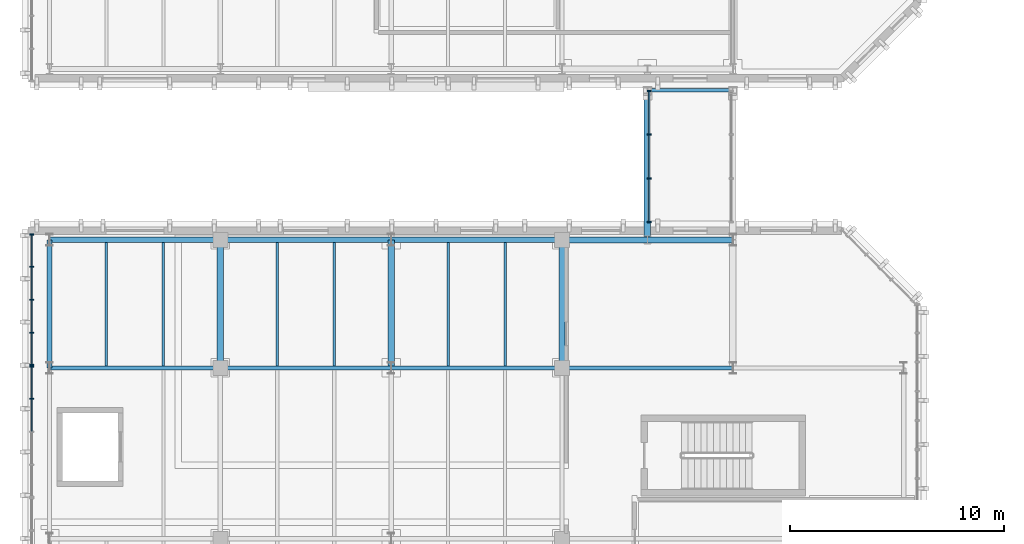
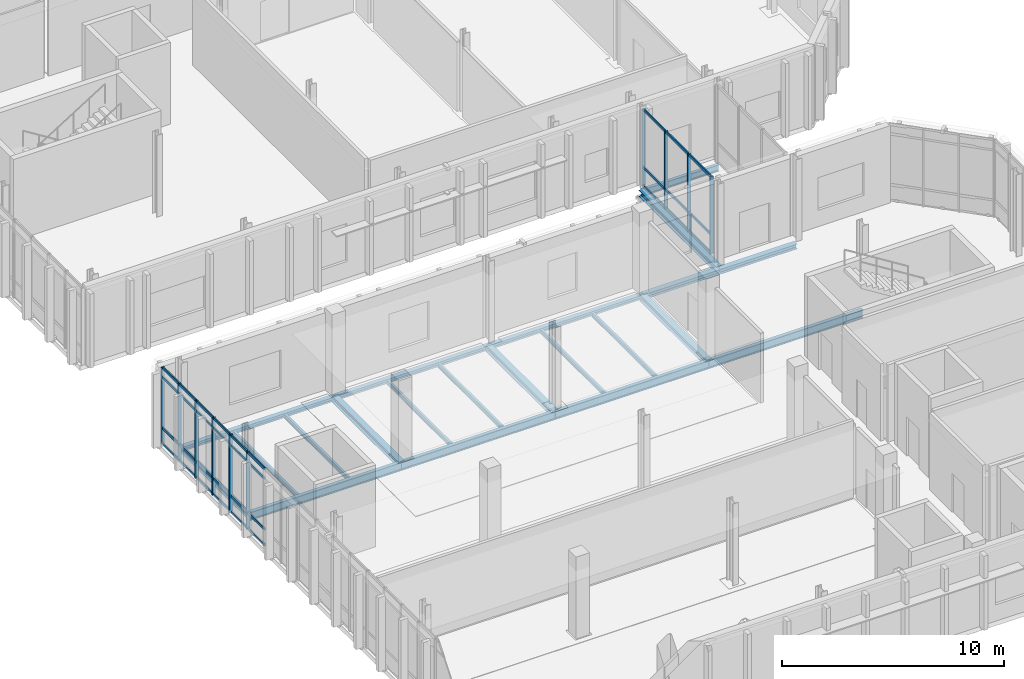
# One storey, part 34 of 100: 44 members, 21 beams, 3 elements without a shape of their own.
"""IFC4 building model written with IfcOpenShell, lengths in metres."""

from ifc_helpers import new_model, si_unit, direction, frame, origin, origin_2d, place, context, subcontext, project, spatial, rectangle, i_section, extrude, material, material_profile, profile_set, type_object, element, aggregate, save


model = new_model("IFC4")

# Units and contexts
model_context = context("Model", 3, precision=1e-05, world=origin(), true_north=direction((0.0, 1.0)))
body_context = subcontext(model_context, "Body", "Model", "MODEL_VIEW")
ifc_project = project(units=[si_unit("LENGTHUNIT", "METRE"), si_unit("AREAUNIT", "SQUARE_METRE"), si_unit("VOLUMEUNIT", "CUBIC_METRE"), si_unit("PLANEANGLEUNIT", "RADIAN"), si_unit("MASSUNIT", "GRAM", prefix="KILO")], contexts=[model_context])

# Site, building, storey
site_placement = place(None, origin())
site = spatial("IfcSite", under=ifc_project, at=site_placement, CompositionType="ELEMENT")
building_placement = place(site_placement, origin())
building = spatial("IfcBuilding", under=site, at=building_placement, Name="Cymarion Research Institute", CompositionType="ELEMENT")
storey_placement = place(building_placement, frame((0.0, 0.0, 4.800048828125)))
storey = spatial("IfcBuildingStorey", under=building, at=storey_placement, Name="L01", CompositionType="ELEMENT", Elevation=4.800048828125)

# Curtain wall, members
ifc_material_1 = material(Name="Anodised aluminium unitised curtain wall with Low-E glazing", Category="aluminium")
curtain_wall_type_1 = type_object("IfcCurtainWallType", Name="UNITISED CURTAIN WALL CW22 6180X4250", PredefinedType="NOTDEFINED", material=ifc_material_1)
curtain_wall_1_placement = place(storey_placement, origin())
curtain_wall_1 = element("IfcCurtainWall", 1, at=curtain_wall_1_placement, inside=storey, type_object=curtain_wall_type_1, Name="L01 V4 unitised curtain wall CW22 #44", PredefinedType="NOTDEFINED")
ifc_material_2 = material(Name="Anodised aluminium framing", Category="aluminium")
ifc_material_profile_1 = material_profile(ifc_material_2, rectangle(XDim=0.06005859375, YDim=0.179931640625, at=origin_2d()), Name="ALU MULLION 60x180")
ifc_profile_set_1 = profile_set([ifc_material_profile_1], Name="Anodised aluminium framing")
member_type_1 = type_object("IfcMemberType", Name="CURTAIN WALL MULLION ML01 60X180", PredefinedType="MULLION", material=ifc_profile_set_1)
member_1_placement = place(storey_placement, frame((5.77001953125, 77.748046875, 0.0), z_axis=(0.0, 0.0, 1.0), x_axis=(0.0, -1.0, 0.0)))
member_1 = element("IfcMember", 2, at=member_1_placement, type_object=member_type_1, Name="CW22 mullion 1", PredefinedType="MULLION", context=body_context, shape_type="SweptSolid", body=[
    extrude(rectangle(XDim=0.06005859375, YDim=0.179931640625, at=origin_2d()), origin(), (0.0, 0.0, 1.0), 4.25),
])
member_2_placement = place(storey_placement, frame((5.77001953125, 76.234130859375, 0.0), z_axis=(0.0, 0.0, 1.0), x_axis=(0.0, -1.0, 0.0)))
member_2 = element("IfcMember", 3, at=member_2_placement, type_object=member_type_1, Name="CW22 mullion 2", PredefinedType="MULLION", context=body_context, shape_type="SweptSolid", body=[
    extrude(rectangle(XDim=0.06005859375, YDim=0.179931640625, at=origin_2d()), origin(), (0.0, 0.0, 1.0), 4.25),
])
member_3_placement = place(storey_placement, frame((5.77001953125, 74.690185546875, 0.0), z_axis=(0.0, 0.0, 1.0), x_axis=(0.0, -1.0, 0.0)))
member_3 = element("IfcMember", 4, at=member_3_placement, type_object=member_type_1, Name="CW22 mullion 3", PredefinedType="MULLION", context=body_context, shape_type="SweptSolid", body=[
    extrude(rectangle(XDim=0.06005859375, YDim=0.179931640625, at=origin_2d()), origin(), (0.0, 0.0, 1.0), 4.25),
])
member_4_placement = place(storey_placement, frame((5.77001953125, 73.146240234375, 0.0), z_axis=(0.0, 0.0, 1.0), x_axis=(0.0, -1.0, 0.0)))
member_4 = element("IfcMember", 5, at=member_4_placement, type_object=member_type_1, Name="CW22 mullion 4", PredefinedType="MULLION", context=body_context, shape_type="SweptSolid", body=[
    extrude(rectangle(XDim=0.06005859375, YDim=0.179931640625, at=origin_2d()), origin(), (0.0, 0.0, 1.0), 4.25),
])
member_5_placement = place(storey_placement, frame((5.77001953125, 71.63232421875, 0.0), z_axis=(0.0, 0.0, 1.0), x_axis=(0.0, -1.0, 0.0)))
member_5 = element("IfcMember", 6, at=member_5_placement, type_object=member_type_1, Name="CW22 mullion 5", PredefinedType="MULLION", context=body_context, shape_type="SweptSolid", body=[
    extrude(rectangle(XDim=0.06005859375, YDim=0.179931640625, at=origin_2d()), origin(), (0.0, 0.0, 1.0), 4.25),
])

curtain_wall_2_placement = place(storey_placement, origin())
curtain_wall_2 = element("IfcCurtainWall", 7, at=curtain_wall_2_placement, inside=storey, type_object=curtain_wall_type_1, Name="L01 V4 unitised curtain wall CW22 #45", PredefinedType="NOTDEFINED")
member_6_placement = place(storey_placement, frame((5.77001953125, 71.572509765625, 0.0), z_axis=(0.0, 0.0, 1.0), x_axis=(0.0, -1.0, 0.0)))
member_6 = element("IfcMember", 8, at=member_6_placement, type_object=member_type_1, Name="CW22 mullion 1", PredefinedType="MULLION", context=body_context, shape_type="SweptSolid", body=[
    extrude(rectangle(XDim=0.06005859375, YDim=0.179931640625, at=origin_2d()), origin(), (0.0, 0.0, 1.0), 4.25),
])
member_7_placement = place(storey_placement, frame((5.77001953125, 70.05859375, 0.0), z_axis=(0.0, 0.0, 1.0), x_axis=(0.0, -1.0, 0.0)))
member_7 = element("IfcMember", 9, at=member_7_placement, type_object=member_type_1, Name="CW22 mullion 2", PredefinedType="MULLION", context=body_context, shape_type="SweptSolid", body=[
    extrude(rectangle(XDim=0.06005859375, YDim=0.179931640625, at=origin_2d()), origin(), (0.0, 0.0, 1.0), 4.25),
])

curtain_wall_type_2 = type_object("IfcCurtainWallType", Name="UNITISED CURTAIN WALL CW25 6200X4260", PredefinedType="NOTDEFINED", material=ifc_material_1)
curtain_wall_3_placement = place(storey_placement, origin())
curtain_wall_3 = element("IfcCurtainWall", 10, at=curtain_wall_3_placement, inside=storey, type_object=curtain_wall_type_2, Name="L01 SP2 sky-passage glazed wall 1", PredefinedType="NOTDEFINED")
member_8_placement = place(storey_placement, frame((34.679931640625, 78.330078125, 0.0), z_axis=(0.0, 0.0, 1.0), x_axis=(0.0, 1.0, 0.0)))
member_8 = element("IfcMember", 11, at=member_8_placement, type_object=member_type_1, Name="CW25 mullion 1", PredefinedType="MULLION", context=body_context, shape_type="SweptSolid", body=[
    extrude(rectangle(XDim=0.06005859375, YDim=0.179931640625, at=origin_2d()), origin(), (0.0, 0.0, 1.0), 4.260009765625),
])
member_9_placement = place(storey_placement, frame((34.679931640625, 80.36669921875, 0.0), z_axis=(0.0, 0.0, 1.0), x_axis=(0.0, 1.0, 0.0)))
member_9 = element("IfcMember", 12, at=member_9_placement, type_object=member_type_1, Name="CW25 mullion 2", PredefinedType="MULLION", context=body_context, shape_type="SweptSolid", body=[
    extrude(rectangle(XDim=0.06005859375, YDim=0.179931640625, at=origin_2d()), origin(), (0.0, 0.0, 1.0), 4.260009765625),
])
member_10_placement = place(storey_placement, frame((34.679931640625, 82.433349609375, 0.0), z_axis=(0.0, 0.0, 1.0), x_axis=(0.0, 1.0, 0.0)))
member_10 = element("IfcMember", 13, at=member_10_placement, type_object=member_type_1, Name="CW25 mullion 3", PredefinedType="MULLION", context=body_context, shape_type="SweptSolid", body=[
    extrude(rectangle(XDim=0.06005859375, YDim=0.179931640625, at=origin_2d()), origin(), (0.0, 0.0, 1.0), 4.260009765625),
])
member_11_placement = place(storey_placement, frame((34.679931640625, 84.469970703125, 0.0), z_axis=(0.0, 0.0, 1.0), x_axis=(0.0, 1.0, 0.0)))
member_11 = element("IfcMember", 14, at=member_11_placement, type_object=member_type_1, Name="CW25 mullion 4", PredefinedType="MULLION", context=body_context, shape_type="SweptSolid", body=[
    extrude(rectangle(XDim=0.06005859375, YDim=0.179931640625, at=origin_2d()), origin(), (0.0, 0.0, 1.0), 4.260009765625),
])

# Member
ifc_material_profile_2 = material_profile(ifc_material_2, rectangle(XDim=0.06005859375, YDim=0.14990234375, at=origin_2d()), Name="ALU TRANSOM 60x150")
ifc_profile_set_2 = profile_set([ifc_material_profile_2], Name="Anodised aluminium framing")
member_type_2 = type_object("IfcMemberType", Name="CURTAIN WALL TRANSOM TR01 60X150", PredefinedType="USERDEFINED", material=ifc_profile_set_2)
member_12_placement = place(storey_placement, frame((5.77001953125, 77.718017578125, 0.030029296875), z_axis=(0.0, -1.0, 0.0), x_axis=(1.0, 0.0, 0.0)))
member_12 = element("IfcMember", 15, at=member_12_placement, type_object=member_type_2, Name="CW22 transom 1.1", ObjectType="TRANSOM", PredefinedType="USERDEFINED", context=body_context, shape_type="SweptSolid", body=[
    extrude(rectangle(XDim=0.06005859375, YDim=0.14990234375, at=origin_2d()), origin(), (0.0, 0.0, 1.0), 1.453857421875),
])

member_13_placement = place(storey_placement, frame((5.77001953125, 77.718017578125, 0.89990234375), z_axis=(0.0, -1.0, 0.0), x_axis=(1.0, 0.0, 0.0)))
member_13 = element("IfcMember", 16, at=member_13_placement, type_object=member_type_2, Name="CW22 transom 1.2", ObjectType="TRANSOM", PredefinedType="USERDEFINED", context=body_context, shape_type="SweptSolid", body=[
    extrude(rectangle(XDim=0.06005859375, YDim=0.14990234375, at=origin_2d()), origin(), (0.0, 0.0, 1.0), 1.453857421875),
])

member_14_placement = place(storey_placement, frame((5.77001953125, 77.718017578125, 3.699951171875), z_axis=(0.0, -1.0, 0.0), x_axis=(1.0, 0.0, 0.0)))
member_14 = element("IfcMember", 17, at=member_14_placement, type_object=member_type_2, Name="CW22 transom 1.3", ObjectType="TRANSOM", PredefinedType="USERDEFINED", context=body_context, shape_type="SweptSolid", body=[
    extrude(rectangle(XDim=0.06005859375, YDim=0.14990234375, at=origin_2d()), origin(), (0.0, 0.0, 1.0), 1.453857421875),
])

member_15_placement = place(storey_placement, frame((5.77001953125, 77.718017578125, 4.219970703125), z_axis=(0.0, -1.0, 0.0), x_axis=(1.0, 0.0, 0.0)))
member_15 = element("IfcMember", 18, at=member_15_placement, type_object=member_type_2, Name="CW22 transom 1.4", ObjectType="TRANSOM", PredefinedType="USERDEFINED", context=body_context, shape_type="SweptSolid", body=[
    extrude(rectangle(XDim=0.06005859375, YDim=0.14990234375, at=origin_2d()), origin(), (0.0, 0.0, 1.0), 1.453857421875),
])

member_16_placement = place(storey_placement, frame((5.77001953125, 76.2041015625, 0.030029296875), z_axis=(0.0, -1.0, 0.0), x_axis=(1.0, 0.0, 0.0)))
member_16 = element("IfcMember", 19, at=member_16_placement, type_object=member_type_2, Name="CW22 transom 2.1", ObjectType="TRANSOM", PredefinedType="USERDEFINED", context=body_context, shape_type="SweptSolid", body=[
    extrude(rectangle(XDim=0.06005859375, YDim=0.14990234375, at=origin_2d()), origin(), (0.0, 0.0, 1.0), 1.48388671875),
])

member_17_placement = place(storey_placement, frame((5.77001953125, 76.2041015625, 0.89990234375), z_axis=(0.0, -1.0, 0.0), x_axis=(1.0, 0.0, 0.0)))
member_17 = element("IfcMember", 20, at=member_17_placement, type_object=member_type_2, Name="CW22 transom 2.2", ObjectType="TRANSOM", PredefinedType="USERDEFINED", context=body_context, shape_type="SweptSolid", body=[
    extrude(rectangle(XDim=0.06005859375, YDim=0.14990234375, at=origin_2d()), origin(), (0.0, 0.0, 1.0), 1.48388671875),
])

member_18_placement = place(storey_placement, frame((5.77001953125, 76.2041015625, 3.699951171875), z_axis=(0.0, -1.0, 0.0), x_axis=(1.0, 0.0, 0.0)))
member_18 = element("IfcMember", 21, at=member_18_placement, type_object=member_type_2, Name="CW22 transom 2.3", ObjectType="TRANSOM", PredefinedType="USERDEFINED", context=body_context, shape_type="SweptSolid", body=[
    extrude(rectangle(XDim=0.06005859375, YDim=0.14990234375, at=origin_2d()), origin(), (0.0, 0.0, 1.0), 1.48388671875),
])

member_19_placement = place(storey_placement, frame((5.77001953125, 76.2041015625, 4.219970703125), z_axis=(0.0, -1.0, 0.0), x_axis=(1.0, 0.0, 0.0)))
member_19 = element("IfcMember", 22, at=member_19_placement, type_object=member_type_2, Name="CW22 transom 2.4", ObjectType="TRANSOM", PredefinedType="USERDEFINED", context=body_context, shape_type="SweptSolid", body=[
    extrude(rectangle(XDim=0.06005859375, YDim=0.14990234375, at=origin_2d()), origin(), (0.0, 0.0, 1.0), 1.48388671875),
])

member_20_placement = place(storey_placement, frame((5.77001953125, 74.66015625, 0.030029296875), z_axis=(0.0, -1.0, 0.0), x_axis=(1.0, 0.0, 0.0)))
member_20 = element("IfcMember", 23, at=member_20_placement, type_object=member_type_2, Name="CW22 transom 3.1", ObjectType="TRANSOM", PredefinedType="USERDEFINED", context=body_context, shape_type="SweptSolid", body=[
    extrude(rectangle(XDim=0.06005859375, YDim=0.14990234375, at=origin_2d()), origin(), (0.0, 0.0, 1.0), 1.48388671875),
])

member_21_placement = place(storey_placement, frame((5.77001953125, 74.66015625, 0.89990234375), z_axis=(0.0, -1.0, 0.0), x_axis=(1.0, 0.0, 0.0)))
member_21 = element("IfcMember", 24, at=member_21_placement, type_object=member_type_2, Name="CW22 transom 3.2", ObjectType="TRANSOM", PredefinedType="USERDEFINED", context=body_context, shape_type="SweptSolid", body=[
    extrude(rectangle(XDim=0.06005859375, YDim=0.14990234375, at=origin_2d()), origin(), (0.0, 0.0, 1.0), 1.48388671875),
])

member_22_placement = place(storey_placement, frame((5.77001953125, 74.66015625, 3.699951171875), z_axis=(0.0, -1.0, 0.0), x_axis=(1.0, 0.0, 0.0)))
member_22 = element("IfcMember", 25, at=member_22_placement, type_object=member_type_2, Name="CW22 transom 3.3", ObjectType="TRANSOM", PredefinedType="USERDEFINED", context=body_context, shape_type="SweptSolid", body=[
    extrude(rectangle(XDim=0.06005859375, YDim=0.14990234375, at=origin_2d()), origin(), (0.0, 0.0, 1.0), 1.48388671875),
])

member_23_placement = place(storey_placement, frame((5.77001953125, 74.66015625, 4.219970703125), z_axis=(0.0, -1.0, 0.0), x_axis=(1.0, 0.0, 0.0)))
member_23 = element("IfcMember", 26, at=member_23_placement, type_object=member_type_2, Name="CW22 transom 3.4", ObjectType="TRANSOM", PredefinedType="USERDEFINED", context=body_context, shape_type="SweptSolid", body=[
    extrude(rectangle(XDim=0.06005859375, YDim=0.14990234375, at=origin_2d()), origin(), (0.0, 0.0, 1.0), 1.48388671875),
])

member_24_placement = place(storey_placement, frame((5.77001953125, 73.1162109375, 0.030029296875), z_axis=(0.0, -1.0, 0.0), x_axis=(1.0, 0.0, 0.0)))
member_24 = element("IfcMember", 27, at=member_24_placement, type_object=member_type_2, Name="CW22 transom 4.1", ObjectType="TRANSOM", PredefinedType="USERDEFINED", context=body_context, shape_type="SweptSolid", body=[
    extrude(rectangle(XDim=0.06005859375, YDim=0.14990234375, at=origin_2d()), origin(), (0.0, 0.0, 1.0), 1.453857421875),
])

member_25_placement = place(storey_placement, frame((5.77001953125, 73.1162109375, 0.89990234375), z_axis=(0.0, -1.0, 0.0), x_axis=(1.0, 0.0, 0.0)))
member_25 = element("IfcMember", 28, at=member_25_placement, type_object=member_type_2, Name="CW22 transom 4.2", ObjectType="TRANSOM", PredefinedType="USERDEFINED", context=body_context, shape_type="SweptSolid", body=[
    extrude(rectangle(XDim=0.06005859375, YDim=0.14990234375, at=origin_2d()), origin(), (0.0, 0.0, 1.0), 1.453857421875),
])

member_26_placement = place(storey_placement, frame((5.77001953125, 73.1162109375, 3.699951171875), z_axis=(0.0, -1.0, 0.0), x_axis=(1.0, 0.0, 0.0)))
member_26 = element("IfcMember", 29, at=member_26_placement, type_object=member_type_2, Name="CW22 transom 4.3", ObjectType="TRANSOM", PredefinedType="USERDEFINED", context=body_context, shape_type="SweptSolid", body=[
    extrude(rectangle(XDim=0.06005859375, YDim=0.14990234375, at=origin_2d()), origin(), (0.0, 0.0, 1.0), 1.453857421875),
])

member_27_placement = place(storey_placement, frame((5.77001953125, 73.1162109375, 4.219970703125), z_axis=(0.0, -1.0, 0.0), x_axis=(1.0, 0.0, 0.0)))
member_27 = element("IfcMember", 30, at=member_27_placement, type_object=member_type_2, Name="CW22 transom 4.4", ObjectType="TRANSOM", PredefinedType="USERDEFINED", context=body_context, shape_type="SweptSolid", body=[
    extrude(rectangle(XDim=0.06005859375, YDim=0.14990234375, at=origin_2d()), origin(), (0.0, 0.0, 1.0), 1.453857421875),
])

aggregate(curtain_wall_1, [member_1, member_2, member_3, member_4, member_5, member_12, member_13, member_14, member_15, member_16, member_17, member_18, member_19, member_20, member_21, member_22, member_23, member_24, member_25, member_26, member_27])

member_28_placement = place(storey_placement, frame((5.77001953125, 71.54248046875, 0.030029296875), z_axis=(0.0, -1.0, 0.0), x_axis=(1.0, 0.0, 0.0)))
member_28 = element("IfcMember", 31, at=member_28_placement, type_object=member_type_2, Name="CW22 transom 1.1", ObjectType="TRANSOM", PredefinedType="USERDEFINED", context=body_context, shape_type="SweptSolid", body=[
    extrude(rectangle(XDim=0.06005859375, YDim=0.14990234375, at=origin_2d()), origin(), (0.0, 0.0, 1.0), 1.4541015625),
])

member_29_placement = place(storey_placement, frame((5.77001953125, 71.54248046875, 0.89990234375), z_axis=(0.0, -1.0, 0.0), x_axis=(1.0, 0.0, 0.0)))
member_29 = element("IfcMember", 32, at=member_29_placement, type_object=member_type_2, Name="CW22 transom 1.2", ObjectType="TRANSOM", PredefinedType="USERDEFINED", context=body_context, shape_type="SweptSolid", body=[
    extrude(rectangle(XDim=0.06005859375, YDim=0.14990234375, at=origin_2d()), origin(), (0.0, 0.0, 1.0), 1.4541015625),
])

member_30_placement = place(storey_placement, frame((5.77001953125, 71.54248046875, 3.699951171875), z_axis=(0.0, -1.0, 0.0), x_axis=(1.0, 0.0, 0.0)))
member_30 = element("IfcMember", 33, at=member_30_placement, type_object=member_type_2, Name="CW22 transom 1.3", ObjectType="TRANSOM", PredefinedType="USERDEFINED", context=body_context, shape_type="SweptSolid", body=[
    extrude(rectangle(XDim=0.06005859375, YDim=0.14990234375, at=origin_2d()), origin(), (0.0, 0.0, 1.0), 1.4541015625),
])

member_31_placement = place(storey_placement, frame((5.77001953125, 71.54248046875, 4.219970703125), z_axis=(0.0, -1.0, 0.0), x_axis=(1.0, 0.0, 0.0)))
member_31 = element("IfcMember", 34, at=member_31_placement, type_object=member_type_2, Name="CW22 transom 1.4", ObjectType="TRANSOM", PredefinedType="USERDEFINED", context=body_context, shape_type="SweptSolid", body=[
    extrude(rectangle(XDim=0.06005859375, YDim=0.14990234375, at=origin_2d()), origin(), (0.0, 0.0, 1.0), 1.4541015625),
])

member_32_placement = place(storey_placement, frame((5.77001953125, 70.028564453125, 0.030029296875), z_axis=(0.0, -1.0, 0.0), x_axis=(1.0, 0.0, 0.0)))
member_32 = element("IfcMember", 35, at=member_32_placement, type_object=member_type_2, Name="CW22 transom 2.1", ObjectType="TRANSOM", PredefinedType="USERDEFINED", context=body_context, shape_type="SweptSolid", body=[
    extrude(rectangle(XDim=0.06005859375, YDim=0.14990234375, at=origin_2d()), origin(), (0.0, 0.0, 1.0), 1.48388671875),
])

member_33_placement = place(storey_placement, frame((5.77001953125, 70.028564453125, 0.89990234375), z_axis=(0.0, -1.0, 0.0), x_axis=(1.0, 0.0, 0.0)))
member_33 = element("IfcMember", 36, at=member_33_placement, type_object=member_type_2, Name="CW22 transom 2.2", ObjectType="TRANSOM", PredefinedType="USERDEFINED", context=body_context, shape_type="SweptSolid", body=[
    extrude(rectangle(XDim=0.06005859375, YDim=0.14990234375, at=origin_2d()), origin(), (0.0, 0.0, 1.0), 1.48388671875),
])

member_34_placement = place(storey_placement, frame((5.77001953125, 70.028564453125, 3.699951171875), z_axis=(0.0, -1.0, 0.0), x_axis=(1.0, 0.0, 0.0)))
member_34 = element("IfcMember", 37, at=member_34_placement, type_object=member_type_2, Name="CW22 transom 2.3", ObjectType="TRANSOM", PredefinedType="USERDEFINED", context=body_context, shape_type="SweptSolid", body=[
    extrude(rectangle(XDim=0.06005859375, YDim=0.14990234375, at=origin_2d()), origin(), (0.0, 0.0, 1.0), 1.48388671875),
])

member_35_placement = place(storey_placement, frame((5.77001953125, 70.028564453125, 4.219970703125), z_axis=(0.0, -1.0, 0.0), x_axis=(1.0, 0.0, 0.0)))
member_35 = element("IfcMember", 38, at=member_35_placement, type_object=member_type_2, Name="CW22 transom 2.4", ObjectType="TRANSOM", PredefinedType="USERDEFINED", context=body_context, shape_type="SweptSolid", body=[
    extrude(rectangle(XDim=0.06005859375, YDim=0.14990234375, at=origin_2d()), origin(), (0.0, 0.0, 1.0), 1.48388671875),
])

aggregate(curtain_wall_2, [member_6, member_7, member_28, member_29, member_30, member_31, member_32, member_33, member_34, member_35])

member_36_placement = place(storey_placement, frame((34.679931640625, 78.360107421875, 0.030029296875), z_axis=(0.0, 1.0, 0.0), x_axis=(-1.0, 0.0, 0.0)))
member_36 = element("IfcMember", 39, at=member_36_placement, type_object=member_type_2, Name="CW25 transom 1.1", ObjectType="TRANSOM", PredefinedType="USERDEFINED", context=body_context, shape_type="SweptSolid", body=[
    extrude(rectangle(XDim=0.06005859375, YDim=0.14990234375, at=origin_2d()), origin(), (0.0, 0.0, 1.0), 1.9765625),
])

member_37_placement = place(storey_placement, frame((34.679931640625, 78.360107421875, 1.050048828125), z_axis=(0.0, 1.0, 0.0), x_axis=(-1.0, 0.0, 0.0)))
member_37 = element("IfcMember", 40, at=member_37_placement, type_object=member_type_2, Name="CW25 transom 1.2", ObjectType="TRANSOM", PredefinedType="USERDEFINED", context=body_context, shape_type="SweptSolid", body=[
    extrude(rectangle(XDim=0.06005859375, YDim=0.14990234375, at=origin_2d()), origin(), (0.0, 0.0, 1.0), 1.9765625),
])

member_38_placement = place(storey_placement, frame((34.679931640625, 78.360107421875, 4.22998046875), z_axis=(0.0, 1.0, 0.0), x_axis=(-1.0, 0.0, 0.0)))
member_38 = element("IfcMember", 41, at=member_38_placement, type_object=member_type_2, Name="CW25 transom 1.3", ObjectType="TRANSOM", PredefinedType="USERDEFINED", context=body_context, shape_type="SweptSolid", body=[
    extrude(rectangle(XDim=0.06005859375, YDim=0.14990234375, at=origin_2d()), origin(), (0.0, 0.0, 1.0), 1.9765625),
])

member_39_placement = place(storey_placement, frame((34.679931640625, 80.396728515625, 0.030029296875), z_axis=(0.0, 1.0, 0.0), x_axis=(-1.0, 0.0, 0.0)))
member_39 = element("IfcMember", 42, at=member_39_placement, type_object=member_type_2, Name="CW25 transom 2.1", ObjectType="TRANSOM", PredefinedType="USERDEFINED", context=body_context, shape_type="SweptSolid", body=[
    extrude(rectangle(XDim=0.06005859375, YDim=0.14990234375, at=origin_2d()), origin(), (0.0, 0.0, 1.0), 2.006591796875),
])

member_40_placement = place(storey_placement, frame((34.679931640625, 80.396728515625, 1.050048828125), z_axis=(0.0, 1.0, 0.0), x_axis=(-1.0, 0.0, 0.0)))
member_40 = element("IfcMember", 43, at=member_40_placement, type_object=member_type_2, Name="CW25 transom 2.2", ObjectType="TRANSOM", PredefinedType="USERDEFINED", context=body_context, shape_type="SweptSolid", body=[
    extrude(rectangle(XDim=0.06005859375, YDim=0.14990234375, at=origin_2d()), origin(), (0.0, 0.0, 1.0), 2.006591796875),
])

member_41_placement = place(storey_placement, frame((34.679931640625, 80.396728515625, 4.22998046875), z_axis=(0.0, 1.0, 0.0), x_axis=(-1.0, 0.0, 0.0)))
member_41 = element("IfcMember", 44, at=member_41_placement, type_object=member_type_2, Name="CW25 transom 2.3", ObjectType="TRANSOM", PredefinedType="USERDEFINED", context=body_context, shape_type="SweptSolid", body=[
    extrude(rectangle(XDim=0.06005859375, YDim=0.14990234375, at=origin_2d()), origin(), (0.0, 0.0, 1.0), 2.006591796875),
])

member_42_placement = place(storey_placement, frame((34.679931640625, 82.46337890625, 0.030029296875), z_axis=(0.0, 1.0, 0.0), x_axis=(-1.0, 0.0, 0.0)))
member_42 = element("IfcMember", 45, at=member_42_placement, type_object=member_type_2, Name="CW25 transom 3.1", ObjectType="TRANSOM", PredefinedType="USERDEFINED", context=body_context, shape_type="SweptSolid", body=[
    extrude(rectangle(XDim=0.06005859375, YDim=0.14990234375, at=origin_2d()), origin(), (0.0, 0.0, 1.0), 1.9765625),
])

member_43_placement = place(storey_placement, frame((34.679931640625, 82.46337890625, 1.050048828125), z_axis=(0.0, 1.0, 0.0), x_axis=(-1.0, 0.0, 0.0)))
member_43 = element("IfcMember", 46, at=member_43_placement, type_object=member_type_2, Name="CW25 transom 3.2", ObjectType="TRANSOM", PredefinedType="USERDEFINED", context=body_context, shape_type="SweptSolid", body=[
    extrude(rectangle(XDim=0.06005859375, YDim=0.14990234375, at=origin_2d()), origin(), (0.0, 0.0, 1.0), 1.9765625),
])

member_44_placement = place(storey_placement, frame((34.679931640625, 82.46337890625, 4.22998046875), z_axis=(0.0, 1.0, 0.0), x_axis=(-1.0, 0.0, 0.0)))
member_44 = element("IfcMember", 47, at=member_44_placement, type_object=member_type_2, Name="CW25 transom 3.3", ObjectType="TRANSOM", PredefinedType="USERDEFINED", context=body_context, shape_type="SweptSolid", body=[
    extrude(rectangle(XDim=0.06005859375, YDim=0.14990234375, at=origin_2d()), origin(), (0.0, 0.0, 1.0), 1.9765625),
])

aggregate(curtain_wall_3, [member_8, member_9, member_10, member_11, member_36, member_37, member_38, member_39, member_40, member_41, member_42, member_43, member_44])

# Beams
ifc_material_3 = material(Name="Steel S355", Category="steel")
ifc_material_profile_3 = material_profile(ifc_material_3, i_section(OverallWidth=0.18994140625, OverallDepth=0.449951171875, WebThickness=0.009521484375, FlangeThickness=0.0146484375, FilletRadius=0.02099609375, at=origin_2d()), Name="IPE 450")
ifc_profile_set_3 = profile_set([ifc_material_profile_3], Name="Steel S355")
beam_type_1 = type_object("IfcBeamType", Name="PRIMARY GIRDER BM04 IPE 450", PredefinedType="BEAM", material=ifc_profile_set_3)
for number, where, z_axis, x_axis, name in (
    (48, (6.60595703125, 71.5, -0.47509765625), (1.0, 0.0, 0.0), (0.0, 1.0, 0.0), "L01 V4 girder BM04 #636"),
    (49, (14.60595703125, 71.5, -0.47509765625), (1.0, 0.0, 0.0), (0.0, 1.0, 0.0), "L01 V4 girder BM04 #637"),
    (50, (22.60595703125, 71.5, -0.47509765625), (1.0, 0.0, 0.0), (0.0, 1.0, 0.0), "L01 V4 girder BM04 #638"),
    (51, (30.60595703125, 71.5, -0.47509765625), (1.0, 0.0, 0.0), (0.0, 1.0, 0.0), "L01 V4 girder BM04 #639"),
):
    element("IfcBeam", number, at=place(storey_placement, frame(where, z_axis=z_axis, x_axis=x_axis)), inside=storey, type_object=beam_type_1, Name=name, PredefinedType="BEAM", context=body_context, shape_type="SweptSolid", body=[
        extrude(i_section(OverallWidth=0.18994140625, OverallDepth=0.449951171875, WebThickness=0.009521484375, FlangeThickness=0.0146484375, FilletRadius=0.02099609375, at=origin_2d()), origin(), (0.0, 0.0, 1.0), 7.988037109375),
    ])
ifc_material_profile_4 = material_profile(ifc_material_3, i_section(OverallWidth=0.169921875, OverallDepth=0.360107421875, WebThickness=0.008056640625, FlangeThickness=0.0126953125, FilletRadius=0.01806640625, at=origin_2d()), Name="IPE 360")
ifc_profile_set_4 = profile_set([ifc_material_profile_4], Name="Steel S355")
beam_type_2 = type_object("IfcBeamType", Name="PRIMARY GIRDER BM06 IPE 360", PredefinedType="BEAM", material=ifc_profile_set_4)
beam_1_placement = place(storey_placement, frame((34.60595703125, 84.5, -0.340087890625), z_axis=(1.0, 0.0, 0.0), x_axis=(0.0, 1.0, 0.0)))
element("IfcBeam", 52, at=beam_1_placement, inside=storey, type_object=beam_type_2, Name="L01 V4 girder BM06 #646", PredefinedType="BEAM", context=body_context, shape_type="SweptSolid", body=[
    extrude(i_section(OverallWidth=0.169921875, OverallDepth=0.360107421875, WebThickness=0.008056640625, FlangeThickness=0.0126953125, FilletRadius=0.01806640625, at=origin_2d()), origin(), (0.0, 0.0, 1.0), 3.988037109375),
])
ifc_material_profile_5 = material_profile(ifc_material_3, i_section(OverallWidth=0.300048828125, OverallDepth=0.35009765625, WebThickness=0.010009765625, FlangeThickness=0.017578125, FilletRadius=0.027099609375, at=origin_2d()), Name="HEA 360")
ifc_profile_set_5 = profile_set([ifc_material_profile_5], Name="Steel S355")
beam_type_3 = type_object("IfcBeamType", Name="PRIMARY GIRDER BM12 HEA 360", PredefinedType="BEAM", material=ifc_profile_set_5)
for number, where, z_axis, x_axis, name in (
    (53, (14.60009765625, 71.506103515625, -0.425048828125), (0.0, 1.0, 0.0), (-1.0, 0.0, 0.0), "L01 V4 girder BM12 #654"),
    (54, (22.60009765625, 71.506103515625, -0.425048828125), (0.0, 1.0, 0.0), (-1.0, 0.0, 0.0), "L01 V4 girder BM12 #658"),
    (55, (30.60009765625, 71.506103515625, -0.425048828125), (0.0, 1.0, 0.0), (-1.0, 0.0, 0.0), "L01 V4 girder BM12 #662"),
):
    element("IfcBeam", number, at=place(storey_placement, frame(where, z_axis=z_axis, x_axis=x_axis)), inside=storey, type_object=beam_type_3, Name=name, PredefinedType="BEAM", context=body_context, shape_type="SweptSolid", body=[
        extrude(i_section(OverallWidth=0.300048828125, OverallDepth=0.35009765625, WebThickness=0.010009765625, FlangeThickness=0.017578125, FilletRadius=0.027099609375, at=origin_2d()), origin(), (0.0, 0.0, 1.0), 5.98779296875),
    ])
beam_2_placement = place(storey_placement, frame((34.60009765625, 77.506103515625, -0.3349609375), z_axis=(0.0, 1.0, 0.0), x_axis=(-1.0, 0.0, 0.0)))
element("IfcBeam", 56, at=beam_2_placement, inside=storey, type_object=beam_type_3, Name="L01 V4 girder BM12 #663", PredefinedType="BEAM", context=body_context, shape_type="SweptSolid", body=[
    extrude(i_section(OverallWidth=0.300048828125, OverallDepth=0.35009765625, WebThickness=0.010009765625, FlangeThickness=0.017578125, FilletRadius=0.027099609375, at=origin_2d()), origin(), (0.0, 0.0, 1.0), 6.98779296875),
])
ifc_material_profile_6 = material_profile(ifc_material_3, i_section(OverallWidth=0.1201171875, OverallDepth=0.239990234375, WebThickness=0.006103515625, FlangeThickness=0.009765625, FilletRadius=0.014892578125, at=origin_2d()), Name="IPE 240")
ifc_profile_set_6 = profile_set([ifc_material_profile_6], Name="Steel S355")
beam_type_4 = type_object("IfcBeamType", Name="SECONDARY JOIST JS04 IPE 240", PredefinedType="JOIST", material=ifc_profile_set_6)
for number, where, z_axis, x_axis, name in (
    (57, (9.2666015625, 71.59912109375, -0.3701171875), (0.0, 1.0, 0.0), (-1.0, 0.0, 0.0), "L01 V4 secondary joist JS04 #686"),
    (58, (11.933349609375, 71.59912109375, -0.3701171875), (0.0, 1.0, 0.0), (-1.0, 0.0, 0.0), "L01 V4 secondary joist JS04 #687"),
    (59, (17.2666015625, 71.59912109375, -0.3701171875), (0.0, 1.0, 0.0), (-1.0, 0.0, 0.0), "L01 V4 secondary joist JS04 #688"),
    (60, (19.933349609375, 71.59912109375, -0.3701171875), (0.0, 1.0, 0.0), (-1.0, 0.0, 0.0), "L01 V4 secondary joist JS04 #689"),
    (61, (25.2666015625, 71.59912109375, -0.3701171875), (0.0, 1.0, 0.0), (-1.0, 0.0, 0.0), "L01 V4 secondary joist JS04 #690"),
    (62, (27.933349609375, 71.59912109375, -0.3701171875), (0.0, 1.0, 0.0), (-1.0, 0.0, 0.0), "L01 V4 secondary joist JS04 #691"),
):
    element("IfcBeam", number, at=place(storey_placement, frame(where, z_axis=z_axis, x_axis=x_axis)), inside=storey, type_object=beam_type_4, Name=name, PredefinedType="JOIST", context=body_context, shape_type="SweptSolid", body=[
        extrude(i_section(OverallWidth=0.1201171875, OverallDepth=0.239990234375, WebThickness=0.006103515625, FlangeThickness=0.009765625, FilletRadius=0.014892578125, at=origin_2d()), origin(), (0.0, 0.0, 1.0), 5.77685546875),
    ])
ifc_material_profile_7 = material_profile(ifc_material_3, i_section(OverallWidth=0.280029296875, OverallDepth=0.27001953125, WebThickness=0.008056640625, FlangeThickness=0.012939453125, FilletRadius=0.02392578125, at=origin_2d()), Name="HEA 280")
ifc_profile_set_7 = profile_set([ifc_material_profile_7], Name="Steel S355")
beam_type_5 = type_object("IfcBeamType", Name="SPANDREL BEAM SPB02 HEA 280", PredefinedType="SPANDREL", material=ifc_profile_set_7)
for number, where, z_axis, x_axis, name in (
    (63, (30.60595703125, 77.5, -0.385009765625), (1.0, 0.0, 0.0), (0.0, 1.0, 0.0), "L01 V4 girder SPB02 #644"),
    (64, (34.60595703125, 77.5, -0.385009765625), (1.0, 0.0, 0.0), (0.0, 1.0, 0.0), "L01 V4 girder SPB02 #645"),
):
    element("IfcBeam", number, at=place(storey_placement, frame(where, z_axis=z_axis, x_axis=x_axis)), inside=storey, type_object=beam_type_5, Name=name, PredefinedType="SPANDREL", context=body_context, shape_type="SweptSolid", body=[
        extrude(i_section(OverallWidth=0.280029296875, OverallDepth=0.27001953125, WebThickness=0.008056640625, FlangeThickness=0.012939453125, FilletRadius=0.02392578125, at=origin_2d()), origin(), (0.0, 0.0, 1.0), 3.988037109375),
    ])
ifc_material_profile_8 = material_profile(ifc_material_3, i_section(OverallWidth=0.239990234375, OverallDepth=0.22998046875, WebThickness=0.007568359375, FlangeThickness=0.011962890625, FilletRadius=0.02099609375, at=origin_2d()), Name="HEA 240")
ifc_profile_set_8 = profile_set([ifc_material_profile_8], Name="Steel S355")
beam_type_6 = type_object("IfcBeamType", Name="SPANDREL BEAM SPB03 HEA 240", PredefinedType="SPANDREL", material=ifc_profile_set_8)
for number, where, z_axis, x_axis, name in (
    (65, (6.60595703125, 77.5, -0.364990234375), (1.0, 0.0, 0.0), (0.0, 1.0, 0.0), "L01 V4 girder SPB03 #641"),
    (66, (14.60595703125, 77.5, -0.364990234375), (1.0, 0.0, 0.0), (0.0, 1.0, 0.0), "L01 V4 girder SPB03 #642"),
    (67, (22.60595703125, 77.5, -0.364990234375), (1.0, 0.0, 0.0), (0.0, 1.0, 0.0), "L01 V4 girder SPB03 #643"),
):
    element("IfcBeam", number, at=place(storey_placement, frame(where, z_axis=z_axis, x_axis=x_axis)), inside=storey, type_object=beam_type_6, Name=name, PredefinedType="SPANDREL", context=body_context, shape_type="SweptSolid", body=[
        extrude(i_section(OverallWidth=0.239990234375, OverallDepth=0.22998046875, WebThickness=0.007568359375, FlangeThickness=0.011962890625, FilletRadius=0.02099609375, at=origin_2d()), origin(), (0.0, 0.0, 1.0), 7.988037109375),
    ])
beam_3_placement = place(storey_placement, frame((6.60009765625, 71.506103515625, -0.364990234375), z_axis=(0.0, 1.0, 0.0), x_axis=(-1.0, 0.0, 0.0)))
element("IfcBeam", 68, at=beam_3_placement, inside=storey, type_object=beam_type_6, Name="L01 V4 girder SPB03 #650", PredefinedType="SPANDREL", context=body_context, shape_type="SweptSolid", body=[
    extrude(i_section(OverallWidth=0.239990234375, OverallDepth=0.22998046875, WebThickness=0.007568359375, FlangeThickness=0.011962890625, FilletRadius=0.02099609375, at=origin_2d()), origin(), (0.0, 0.0, 1.0), 5.98779296875),
])

save(model, "model.ifc")
